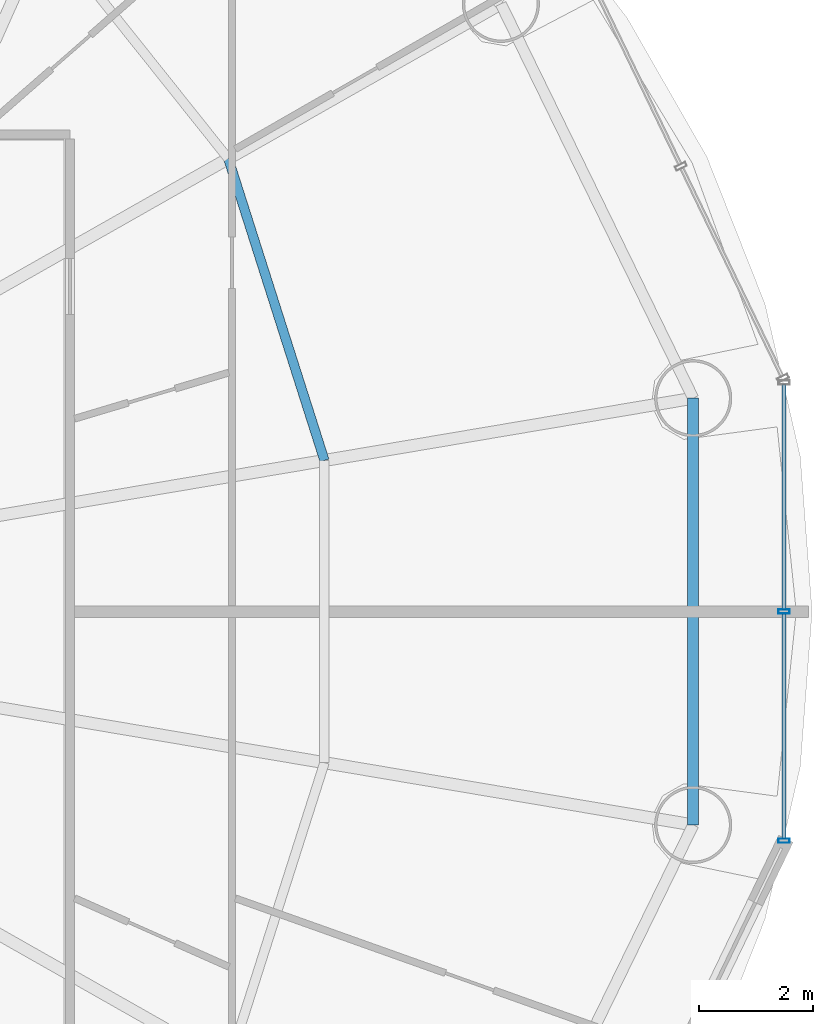
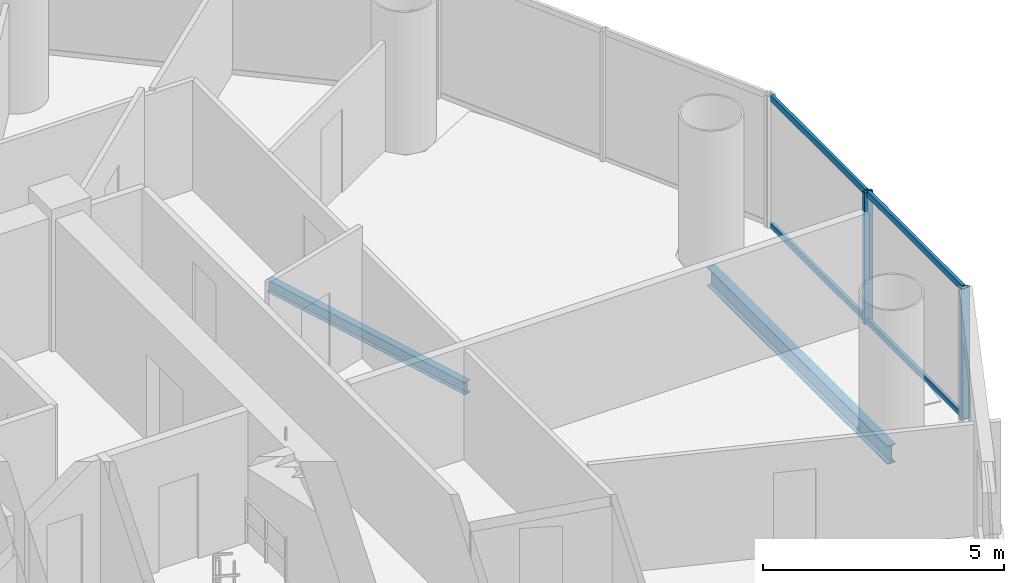
# One storey, part 12 of 27: 6 members, 2 beams, 1 element without a shape of its own.
"""IFC4 building model written with IfcOpenShell, lengths in metres."""

from ifc_helpers import new_model, si_unit, direction, frame, origin, origin_2d, place, context, subcontext, project, spatial, hollow_rectangle, i_section, extrude, source, transform, mapped, material, material_profile, profile_set, type_object, element, aggregate, save


model = new_model("IFC4")

# Units and contexts
model_context = context("Model", 3, precision=1e-05, world=origin(), true_north=direction((-0.2419218956, 0.970295726276)))
body_context = subcontext(model_context, "Body", "Model", "MODEL_VIEW")
ifc_project = project(units=[si_unit("LENGTHUNIT", "METRE"), si_unit("AREAUNIT", "SQUARE_METRE"), si_unit("VOLUMEUNIT", "CUBIC_METRE"), si_unit("PLANEANGLEUNIT", "RADIAN"), si_unit("MASSUNIT", "GRAM", prefix="KILO")], contexts=[model_context])

# Site, building, storey
site_placement = place(None, origin())
site = spatial("IfcSite", under=ifc_project, at=site_placement, CompositionType="ELEMENT")
building_placement = place(site_placement, origin())
building = spatial("IfcBuilding", under=site, at=building_placement, Name="Cobrevalo Terracotta Tower", CompositionType="ELEMENT")
storey_placement = place(building_placement, frame((0.0, 0.0, 157.0)))
storey = spatial("IfcBuildingStorey", under=building, at=storey_placement, Name="L41", CompositionType="ELEMENT", Elevation=157.0)

# Beams
ifc_material_1 = material(Name="Steel S355", Category="steel")
ifc_material_profile_1 = material_profile(ifc_material_1, i_section(OverallWidth=0.1650390625, OverallDepth=0.31005859375, WebThickness=0.005859375, FlangeThickness=0.009765625, at=origin_2d()), Name="W 310x38.7")
ifc_profile_set_1 = profile_set([ifc_material_profile_1], Name="Steel S355")
beam_type_1 = type_object("IfcBeamType", Name="Structural Joist W 310x38.7 (Steel S355)", PredefinedType="JOIST", material=ifc_profile_set_1)
beam_1_placement = place(storey_placement, frame((53.660888671875, 29.445556640625, -0.425048828125), z_axis=(-0.303497928386, 0.952832098255, 0.0), x_axis=(-0.952832098255, -0.303497928386, 0.0)))
element("IfcBeam", 1, at=beam_1_placement, inside=storey, type_object=beam_type_1, Name="L41 circumferential secondary floor joist 01", PredefinedType="JOIST", context=body_context, shape_type="SweptSolid", body=[
    extrude(i_section(OverallWidth=0.1650390625, OverallDepth=0.31005859375, WebThickness=0.005859375, FlangeThickness=0.009765625, at=origin_2d()), origin(), (0.0, 0.0, 1.0), 5.54736328125),
])
ifc_material_profile_2 = material_profile(ifc_material_1, i_section(OverallWidth=0.194091796875, OverallDepth=0.468994140625, WebThickness=0.011474609375, FlangeThickness=0.0205078125, at=origin_2d()), Name="W 460x106")
ifc_profile_set_2 = profile_set([ifc_material_profile_2], Name="Steel S355")
beam_type_2 = type_object("IfcBeamType", Name="Structural Spandrel W 460x106 (Steel S355)", PredefinedType="SPANDREL", material=ifc_profile_set_2)
beam_2_placement = place(storey_placement, frame((60.11669921875, 23.06396484375, -0.50439453125), z_axis=(0.0, 1.0, 0.0), x_axis=(-1.0, 0.0, 0.0)))
element("IfcBeam", 2, at=beam_2_placement, inside=storey, type_object=beam_type_2, Name="L41 perimeter ring spandrel 16", PredefinedType="SPANDREL", context=body_context, shape_type="SweptSolid", body=[
    extrude(i_section(OverallWidth=0.194091796875, OverallDepth=0.468994140625, WebThickness=0.011474609375, FlangeThickness=0.0205078125, at=origin_2d()), origin(), (0.0, 0.0, 1.0), 7.471923828125),
])

# Curtain wall, members
ifc_material_2 = material(Name="Anodized aluminium", Category="aluminium")
curtain_wall_type = type_object("IfcCurtainWallType", Name="Mid-tower high-wind unitised curtain wall CW-U2", PredefinedType="NOTDEFINED", material=ifc_material_2)
curtain_wall_placement = place(storey_placement, origin())
curtain_wall = element("IfcCurtainWall", 3, at=curtain_wall_placement, inside=storey, type_object=curtain_wall_type, Name="L41 curtain wall CW-L41-S16", PredefinedType="NOTDEFINED")
ifc_material_profile_3 = material_profile(ifc_material_2, hollow_rectangle(XDim=0.074951171875, YDim=0.199951171875, WallThickness=0.0048828125, at=origin_2d()), Name="CWM 75x200")
ifc_profile_set_3 = profile_set([ifc_material_profile_3], Name="Anodized aluminium")
member_type_1 = type_object("IfcMemberType", Name="Lower/mid tower unitised mullion 75x200", PredefinedType="MULLION", material=ifc_profile_set_3)
shared_shape_1 = source(origin(), body_context, "Body", "SweptSolid", [
    extrude(hollow_rectangle(XDim=0.074951171875, YDim=0.199951171875, WallThickness=0.0048828125, at=origin_2d()), origin(), (0.0, 0.0, 1.0), 3.330078125),
])
member_1_placement = place(storey_placement, frame((61.70556640625, 22.7880859375, 0.0), z_axis=(0.0, 0.0, 1.0), x_axis=(0.0, 1.0, 0.0)))
member_1 = element("IfcMember", 4, at=member_1_placement, type_object=member_type_1, Name="CW-L41-S16 vertical mullion 01", PredefinedType="MULLION", context=body_context, shape_type="MappedRepresentation", body=[
    mapped(shared_shape_1, transform((0.0, 0.0, 0.0), scale=1.0)),
])
member_2_placement = place(storey_placement, frame((61.70556640625, 26.800048828125, 0.0), z_axis=(0.0, 0.0, 1.0), x_axis=(0.0, 1.0, 0.0)))
member_2 = element("IfcMember", 5, at=member_2_placement, type_object=member_type_1, Name="CW-L41-S16 vertical mullion 02", PredefinedType="MULLION", context=body_context, shape_type="MappedRepresentation", body=[
    mapped(shared_shape_1, transform((0.0, 0.0, 0.0), scale=1.0)),
])
ifc_material_profile_4 = material_profile(ifc_material_2, hollow_rectangle(XDim=0.074951171875, YDim=0.14990234375, WallThickness=0.00439453125, at=origin_2d()), Name="CWT 75x150")
ifc_profile_set_4 = profile_set([ifc_material_profile_4], Name="Anodized aluminium")
member_type_2 = type_object("IfcMemberType", Name="Tower unitised aluminium transom 75x150", PredefinedType="USERDEFINED", material=ifc_profile_set_4)
shared_shape_2 = source(origin(), body_context, "Body", "SweptSolid", [
    extrude(hollow_rectangle(XDim=0.074951171875, YDim=0.14990234375, WallThickness=0.00439453125, at=origin_2d()), origin(), (0.0, 0.0, 1.0), 3.931884765625),
])
member_3_placement = place(storey_placement, frame((61.70556640625, 26.840087890625, 0.050048828125), z_axis=(0.0, 1.0, 0.0), x_axis=(-1.0, 0.0, 0.0)))
member_3 = element("IfcMember", 6, at=member_3_placement, type_object=member_type_2, Name="CW-L41-S16 transom B02-T1", ObjectType="TRANSOM", PredefinedType="USERDEFINED", context=body_context, shape_type="MappedRepresentation", body=[
    mapped(shared_shape_2, transform((0.0, 0.0, 0.0), scale=1.0)),
])
member_4_placement = place(storey_placement, frame((61.70556640625, 26.840087890625, 3.280029296875), z_axis=(0.0, 1.0, 0.0), x_axis=(-1.0, 0.0, 0.0)))
member_4 = element("IfcMember", 7, at=member_4_placement, type_object=member_type_2, Name="CW-L41-S16 transom B02-T2", ObjectType="TRANSOM", PredefinedType="USERDEFINED", context=body_context, shape_type="MappedRepresentation", body=[
    mapped(shared_shape_2, transform((0.0, 0.0, 0.0), scale=1.0)),
])
shared_shape_3 = source(origin(), body_context, "Body", "SweptSolid", [
    extrude(hollow_rectangle(XDim=0.074951171875, YDim=0.14990234375, WallThickness=0.00439453125, at=origin_2d()), origin(), (0.0, 0.0, 1.0), 3.93212890625),
])
member_5_placement = place(storey_placement, frame((61.70556640625, 22.827880859375, 0.050048828125), z_axis=(0.0, 1.0, 0.0), x_axis=(-1.0, 0.0, 0.0)))
member_5 = element("IfcMember", 8, at=member_5_placement, type_object=member_type_2, Name="CW-L41-S16 transom B01-T1", ObjectType="TRANSOM", PredefinedType="USERDEFINED", context=body_context, shape_type="MappedRepresentation", body=[
    mapped(shared_shape_3, transform((0.0, 0.0, 0.0), scale=1.0)),
])
member_6_placement = place(storey_placement, frame((61.70556640625, 22.827880859375, 3.280029296875), z_axis=(0.0, 1.0, 0.0), x_axis=(-1.0, 0.0, 0.0)))
member_6 = element("IfcMember", 9, at=member_6_placement, type_object=member_type_2, Name="CW-L41-S16 transom B01-T2", ObjectType="TRANSOM", PredefinedType="USERDEFINED", context=body_context, shape_type="MappedRepresentation", body=[
    mapped(shared_shape_3, transform((0.0, 0.0, 0.0), scale=1.0)),
])
aggregate(curtain_wall, [member_1, member_2, member_5, member_6, member_3, member_4])

save(model, "model.ifc")
